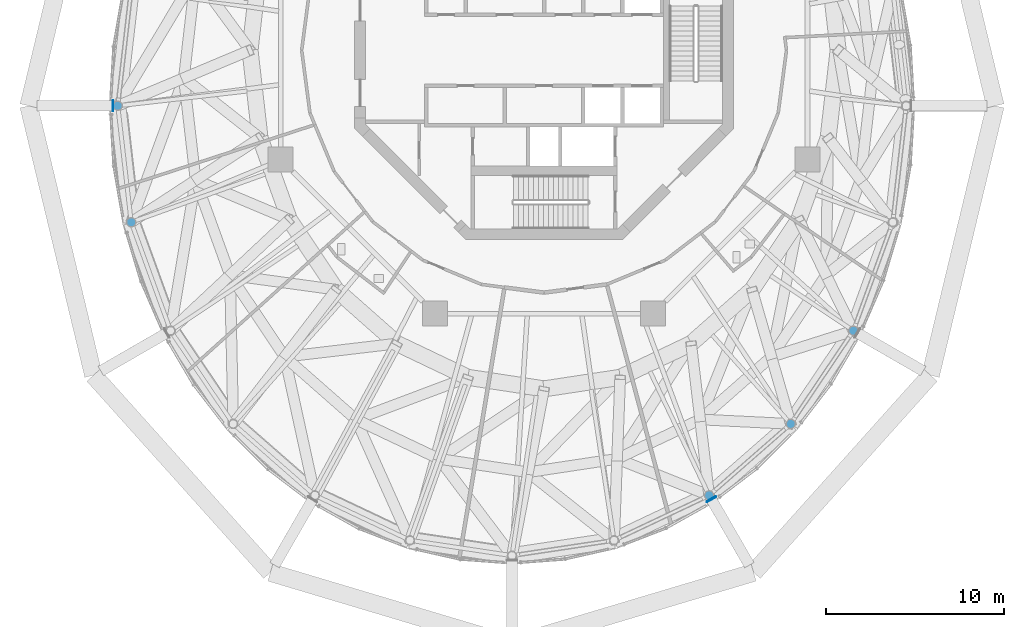
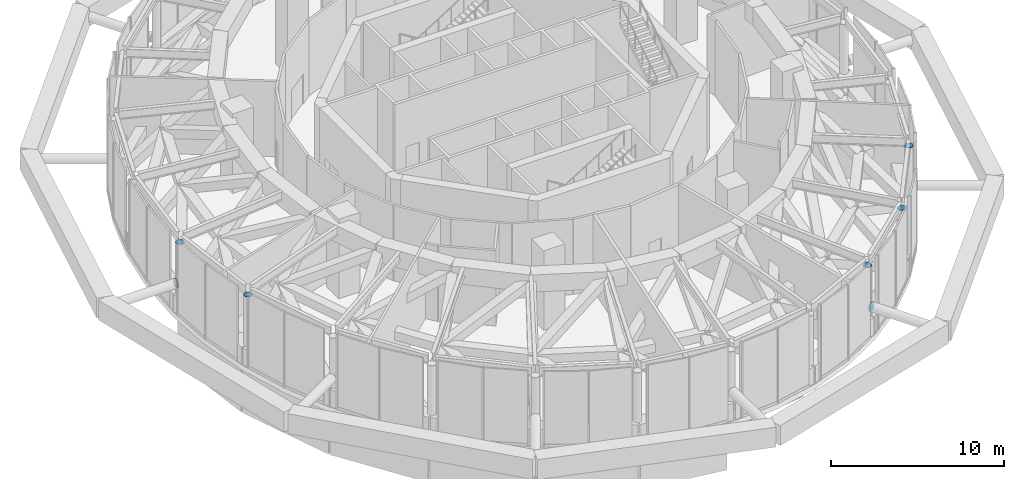
# One storey, part 17 of 22: 7 discrete accessories.
"""IFC4 building model written with IfcOpenShell, lengths in metres."""

from ifc_helpers import new_model, si_unit, direction, frame, origin, origin_2d, place, context, subcontext, project, spatial, circle, extrude, material, layer, layer_set, type_object, element, save


model = new_model("IFC4")

# Units and contexts
model_context = context("Model", 3, precision=1e-05, world=origin(), true_north=direction((0.0, 1.0)))
body_context = subcontext(model_context, "Body", "Model", "MODEL_VIEW")
ifc_project = project(units=[si_unit("LENGTHUNIT", "METRE"), si_unit("AREAUNIT", "SQUARE_METRE"), si_unit("VOLUMEUNIT", "CUBIC_METRE"), si_unit("PLANEANGLEUNIT", "RADIAN"), si_unit("MASSUNIT", "GRAM", prefix="KILO")], contexts=[model_context])

# Site, building, storey
site_placement = place(None, origin())
site = spatial("IfcSite", under=ifc_project, at=site_placement, CompositionType="ELEMENT")
building_placement = place(site_placement, origin())
building = spatial("IfcBuilding", under=site, at=building_placement, Name="Nagisa Residences", CompositionType="ELEMENT")
storey_placement = place(building_placement, frame((0.0, 0.0, 310.300048828125)))
storey = spatial("IfcBuildingStorey", under=building, at=storey_placement, Name="L77", CompositionType="ELEMENT", Elevation=310.300048828125)

# Discrete accessories
ifc_material_1 = material(Name="Steel ASTM A572 Gr 50", Category="steel")
ifc_layer_1 = layer(ifc_material_1, 0.030029296875)
ifc_layer_set_1 = layer_set([ifc_layer_1], Name="End plate")
discrete_accessory_type_1 = type_object("IfcDiscreteAccessoryType", Name="End plate", PredefinedType="ANCHORPLATE", material=ifc_layer_set_1)
for number, where, z_axis, x_axis, name in (
    (1, (-23.919921875, -3.11767578125, 4.697021484375), (0.0, 0.0, 1.0), (1.0, 0.0, 0.0), "End plate GP613"),
    (2, (-23.166259765625, -9.650390625, 4.697021484375), (0.0, 0.0, 1.0), (1.0, 0.0, 0.0), "End plate GP614"),
    (3, (9.260009765625, -24.97607421875, 4.697021484375), (0.0, 0.0, 1.0), (1.0, 0.0, 0.0), "End plate GP621"),
    (4, (13.84130859375, -20.965087890625, 4.697021484375), (0.0, 0.0, 1.0), (1.0, 0.0, 0.0), "End plate GP622"),
    (5, (17.3564453125, -15.73779296875, 4.697021484375), (0.0, 0.0, 1.0), (1.0, 0.0, 0.0), "End plate GP623"),
):
    element("IfcDiscreteAccessory", number, at=place(storey_placement, frame(where, z_axis=z_axis, x_axis=x_axis)), inside=storey, type_object=discrete_accessory_type_1, Name=name, PredefinedType="ANCHORPLATE", context=body_context, shape_type="SweptSolid", body=[
        extrude(circle(Radius=0.25390625, at=origin_2d()), origin(), (0.0, 0.0, 1.0), 0.030029296875),
    ])
ifc_material_2 = material(Name="Steel ASTM A572 Gr 50", Category="steel")
ifc_layer_2 = layer(ifc_material_2, 0.030029296875)
ifc_layer_set_2 = layer_set([ifc_layer_2], Name="Node plate")
discrete_accessory_type_2 = type_object("IfcDiscreteAccessoryType", Name="Node plate", PredefinedType="ANCHORPLATE", material=ifc_layer_set_2)
discrete_accessory_1_placement = place(storey_placement, frame((-24.194091796875, -3.11767578125, 1.89990234375), z_axis=(1.0, 0.0, 0.0), x_axis=(0.0, 1.0, 0.0)))
element("IfcDiscreteAccessory", 6, at=discrete_accessory_1_placement, inside=storey, type_object=discrete_accessory_type_2, Name="Node plate ST6T07", PredefinedType="ANCHORPLATE", context=body_context, shape_type="SweptSolid", body=[
    extrude(circle(Radius=0.304931640625, at=origin_2d()), origin(), (0.0, 0.0, 1.0), 0.030029296875),
])
discrete_accessory_2_placement = place(storey_placement, frame((9.39599609375, -25.211669921875, 1.89990234375), z_axis=(-0.498778343083, 0.866729579783, 0.0), x_axis=(-0.866729579783, -0.498778343083, 0.0)))
element("IfcDiscreteAccessory", 7, at=discrete_accessory_2_placement, inside=storey, type_object=discrete_accessory_type_2, Name="Node plate ST6T11", PredefinedType="ANCHORPLATE", context=body_context, shape_type="SweptSolid", body=[
    extrude(circle(Radius=0.304931640625, at=origin_2d()), origin(), (0.0, 0.0, 1.0), 0.02978515625),
])

save(model, "model.ifc")
